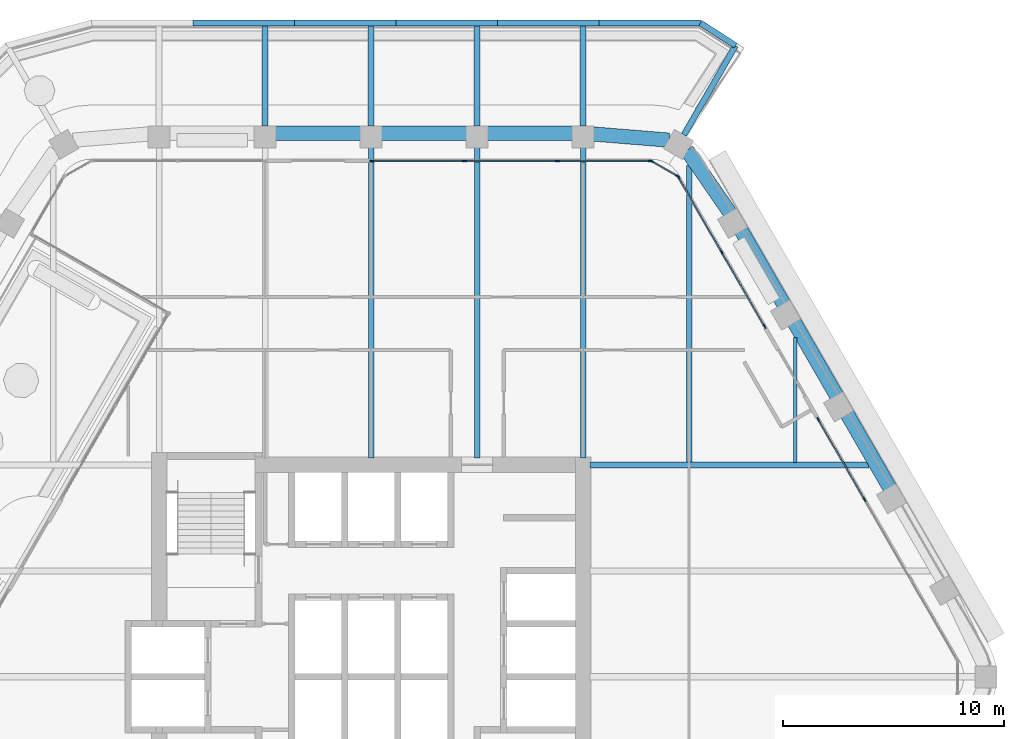
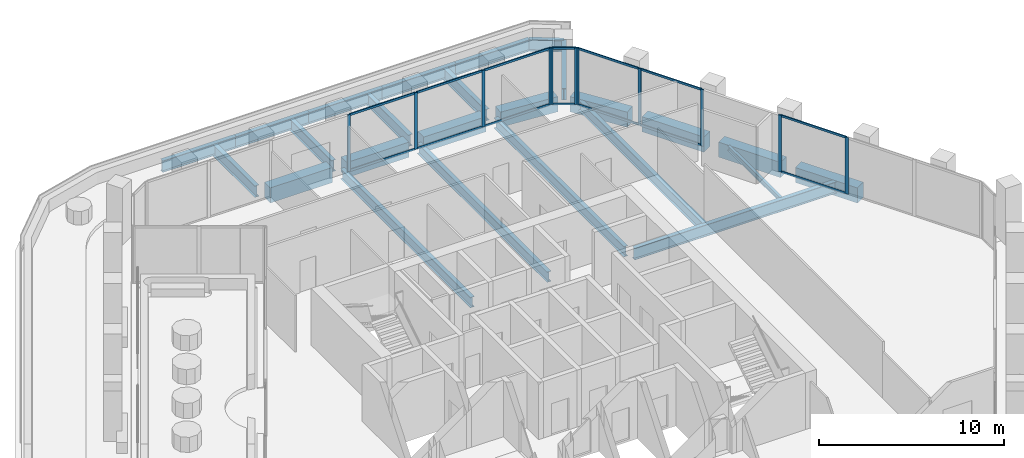
# One storey, part 7 of 18: 25 beams, 25 members, 4 elements without a shape of their own.
"""IFC4 building model written with IfcOpenShell, lengths in metres."""

from ifc_helpers import new_model, si_unit, direction, frame, origin, origin_2d, place, context, subcontext, project, spatial, rectangle, i_section, extrude, material, material_profile, profile_set, type_object, element, aggregate, save


model = new_model("IFC4")

# Units and contexts
model_context = context("Model", 3, precision=1e-05, world=origin(), true_north=direction((0.0, 1.0)))
body_context = subcontext(model_context, "Body", "Model", "MODEL_VIEW")
ifc_project = project(units=[si_unit("LENGTHUNIT", "METRE"), si_unit("AREAUNIT", "SQUARE_METRE"), si_unit("VOLUMEUNIT", "CUBIC_METRE"), si_unit("PLANEANGLEUNIT", "RADIAN"), si_unit("MASSUNIT", "GRAM", prefix="KILO")], contexts=[model_context])

# Site, building, storey
site_placement = place(None, origin())
site = spatial("IfcSite", under=ifc_project, at=site_placement, CompositionType="ELEMENT")
building_placement = place(site_placement, origin())
building = spatial("IfcBuilding", under=site, at=building_placement, Name="Kolab Exchange Tower", CompositionType="ELEMENT")
storey_placement = place(building_placement, frame((0.0, 0.0, 150.5)))
storey = spatial("IfcBuildingStorey", under=building, at=storey_placement, Name="L30", CompositionType="ELEMENT", Elevation=150.5)

# Beams
ifc_material_1 = material(Name="Steel S355", Category="steel")
ifc_material_profile_1 = material_profile(ifc_material_1, i_section(OverallWidth=0.1650390625, OverallDepth=0.31005859375, WebThickness=0.005859375, FlangeThickness=0.009765625, at=origin_2d()), Name="W310X39")
ifc_profile_set_1 = profile_set([ifc_material_profile_1], Name="Steel S355")
beam_type_1 = type_object("IfcBeamType", Name="FLOOR BEAM W310X39", PredefinedType="BEAM", material=ifc_profile_set_1)
beam_1_placement = place(storey_placement, frame((19.199951171875, 9.693603515625, -0.304931640625), z_axis=(0.0, 1.0, 0.0), x_axis=(-1.0, 0.0, 0.0)))
element("IfcBeam", 1, at=beam_1_placement, inside=storey, type_object=beam_type_1, Name="beam/L30/fr/028", PredefinedType="BEAM", context=body_context, shape_type="SweptSolid", body=[
    extrude(i_section(OverallWidth=0.1650390625, OverallDepth=0.31005859375, WebThickness=0.005859375, FlangeThickness=0.009765625, at=origin_2d()), origin(), (0.0, 0.0, 1.0), 5.674072265625),
])
ifc_material_profile_2 = material_profile(ifc_material_1, i_section(OverallWidth=0.25390625, OverallDepth=0.68408203125, WebThickness=0.012451171875, FlangeThickness=0.018798828125, at=origin_2d()), Name="W690X140")
ifc_profile_set_2 = profile_set([ifc_material_profile_2], Name="Steel S355")
beam_type_2 = type_object("IfcBeamType", Name="FLOOR BEAM W690X140", PredefinedType="BEAM", material=ifc_profile_set_2)
for number, where, z_axis, x_axis, name in (
    (2, (0.0, 9.909912109375, -0.491943359375), (0.0, 1.0, 0.0), (-1.0, 0.0, 0.0), "beam/L30/fr/017"),
    (3, (4.800048828125, 9.909912109375, -0.491943359375), (0.0, 1.0, 0.0), (-1.0, 0.0, 0.0), "beam/L30/fr/019"),
    (4, (9.60009765625, 9.909912109375, -0.491943359375), (0.0, 1.0, 0.0), (-1.0, 0.0, 0.0), "beam/L30/fr/021"),
):
    element("IfcBeam", number, at=place(storey_placement, frame(where, z_axis=z_axis, x_axis=x_axis)), inside=storey, type_object=beam_type_2, Name=name, PredefinedType="BEAM", context=body_context, shape_type="SweptSolid", body=[
        extrude(i_section(OverallWidth=0.25390625, OverallDepth=0.68408203125, WebThickness=0.012451171875, FlangeThickness=0.018798828125, at=origin_2d()), origin(), (0.0, 0.0, 1.0), 14.071533203125),
    ])
beam_2_placement = place(storey_placement, frame((14.39990234375, 9.693603515625, -0.491943359375), z_axis=(0.0, 1.0, 0.0), x_axis=(-1.0, 0.0, 0.0)))
element("IfcBeam", 5, at=beam_2_placement, inside=storey, type_object=beam_type_2, Name="beam/L30/fr/026", PredefinedType="BEAM", context=body_context, shape_type="SweptSolid", body=[
    extrude(i_section(OverallWidth=0.25390625, OverallDepth=0.68408203125, WebThickness=0.012451171875, FlangeThickness=0.018798828125, at=origin_2d()), origin(), (0.0, 0.0, 1.0), 13.462158203125),
])
ifc_material_profile_3 = material_profile(ifc_material_1, i_section(OverallWidth=0.26708984375, OverallDepth=0.761962890625, WebThickness=0.014404296875, FlangeThickness=0.021484375, at=origin_2d()), Name="W760X173")
ifc_profile_set_3 = profile_set([ifc_material_profile_3], Name="Steel S355")
beam_type_3 = type_object("IfcBeamType", Name="FLOOR GIRDER W760X173", PredefinedType="BEAM", material=ifc_profile_set_3)
beam_3_placement = place(storey_placement, frame((9.909912109375, 9.60009765625, -0.531005859375), z_axis=(1.0, 0.0, 0.0), x_axis=(0.0, 1.0, 0.0)))
element("IfcBeam", 6, at=beam_3_placement, inside=storey, type_object=beam_type_3, Name="beam/L30/gd/003", PredefinedType="BEAM", context=body_context, shape_type="SweptSolid", body=[
    extrude(i_section(OverallWidth=0.26708984375, OverallDepth=0.761962890625, WebThickness=0.014404296875, FlangeThickness=0.021484375, at=origin_2d()), origin(), (0.0, 0.0, 1.0), 12.636962890625),
])
for number, where, z_axis, x_axis, name in (
    (7, (-4.800048828125, 24.94140625, -0.591064453125), (0.0, 1.0, 0.0), (-1.0, 0.0, 0.0), "beam/L30/ledge/rib-08"),
    (8, (0.0, 24.94140625, -0.591064453125), (0.0, 1.0, 0.0), (-1.0, 0.0, 0.0), "beam/L30/ledge/rib-09"),
    (9, (4.800048828125, 24.94140625, -0.591064453125), (0.0, 1.0, 0.0), (-1.0, 0.0, 0.0), "beam/L30/ledge/rib-10"),
    (10, (9.60009765625, 24.94140625, -0.591064453125), (0.0, 1.0, 0.0), (-1.0, 0.0, 0.0), "beam/L30/ledge/rib-11"),
):
    element("IfcBeam", number, at=place(storey_placement, frame(where, z_axis=z_axis, x_axis=x_axis)), inside=storey, type_object=beam_type_3, Name=name, PredefinedType="BEAM", context=body_context, shape_type="SweptSolid", body=[
        extrude(i_section(OverallWidth=0.26708984375, OverallDepth=0.761962890625, WebThickness=0.014404296875, FlangeThickness=0.021484375, at=origin_2d()), origin(), (0.0, 0.0, 1.0), 4.533203125),
    ])
beam_4_placement = place(storey_placement, frame((14.16796875, 24.53955078125, -0.591064453125), z_axis=(0.500004747635, 0.866022662719, 0.0), x_axis=(-0.866022662719, 0.500004747635, 0.0)))
element("IfcBeam", 11, at=beam_4_placement, inside=storey, type_object=beam_type_3, Name="beam/L30/ledge/rib-12", PredefinedType="BEAM", context=body_context, shape_type="SweptSolid", body=[
    extrude(i_section(OverallWidth=0.26708984375, OverallDepth=0.761962890625, WebThickness=0.014404296875, FlangeThickness=0.021484375, at=origin_2d()), origin(), (0.0, 0.0, 1.0), 4.66650390625),
])
beam_5_placement = place(storey_placement, frame((-8.056640625, 29.60791015625, -0.591064453125), z_axis=(1.0, 0.0, 0.0), x_axis=(0.0, 1.0, 0.0)))
element("IfcBeam", 12, at=beam_5_placement, inside=storey, type_object=beam_type_3, Name="beam/L30/ledge/edge-10", PredefinedType="BEAM", context=body_context, shape_type="SweptSolid", body=[
    extrude(i_section(OverallWidth=0.26708984375, OverallDepth=0.761962890625, WebThickness=0.014404296875, FlangeThickness=0.021484375, at=origin_2d()), origin(), (0.0, 0.0, 1.0), 4.59375),
])
beam_6_placement = place(storey_placement, frame((-3.462890625, 29.60791015625, -0.591064453125), z_axis=(1.0, 0.0, 0.0), x_axis=(0.0, 1.0, 0.0)))
element("IfcBeam", 13, at=beam_6_placement, inside=storey, type_object=beam_type_3, Name="beam/L30/ledge/edge-11", PredefinedType="BEAM", context=body_context, shape_type="SweptSolid", body=[
    extrude(i_section(OverallWidth=0.26708984375, OverallDepth=0.761962890625, WebThickness=0.014404296875, FlangeThickness=0.021484375, at=origin_2d()), origin(), (0.0, 0.0, 1.0), 4.593505859375),
])
for number, where, z_axis, x_axis, name in (
    (14, (1.130615234375, 29.60791015625, -0.591064453125), (1.0, 0.0, 0.0), (0.0, 1.0, 0.0), "beam/L30/ledge/edge-12"),
    (15, (5.724365234375, 29.60791015625, -0.591064453125), (1.0, 0.0, 0.0), (0.0, 1.0, 0.0), "beam/L30/ledge/edge-13"),
):
    element("IfcBeam", number, at=place(storey_placement, frame(where, z_axis=z_axis, x_axis=x_axis)), inside=storey, type_object=beam_type_3, Name=name, PredefinedType="BEAM", context=body_context, shape_type="SweptSolid", body=[
        extrude(i_section(OverallWidth=0.26708984375, OverallDepth=0.761962890625, WebThickness=0.014404296875, FlangeThickness=0.021484375, at=origin_2d()), origin(), (0.0, 0.0, 1.0), 4.59375),
    ])
beam_7_placement = place(storey_placement, frame((10.318115234375, 29.60791015625, -0.591064453125), z_axis=(1.0, 0.0, 0.0), x_axis=(0.0, 1.0, 0.0)))
element("IfcBeam", 16, at=beam_7_placement, inside=storey, type_object=beam_type_3, Name="beam/L30/ledge/edge-14", PredefinedType="BEAM", context=body_context, shape_type="SweptSolid", body=[
    extrude(i_section(OverallWidth=0.26708984375, OverallDepth=0.761962890625, WebThickness=0.014404296875, FlangeThickness=0.021484375, at=origin_2d()), origin(), (0.0, 0.0, 1.0), 4.593505859375),
])
beam_8_placement = place(storey_placement, frame((14.91162109375, 29.60791015625, -0.591064453125), z_axis=(0.839981802732, -0.542614569542, 0.0), x_axis=(0.542614569542, 0.839981802732, 0.0)))
element("IfcBeam", 17, at=beam_8_placement, inside=storey, type_object=beam_type_3, Name="beam/L30/ledge/edge-15", PredefinedType="BEAM", context=body_context, shape_type="SweptSolid", body=[
    extrude(i_section(OverallWidth=0.26708984375, OverallDepth=0.761962890625, WebThickness=0.014404296875, FlangeThickness=0.021484375, at=origin_2d()), origin(), (0.0, 0.0, 1.0), 1.892333984375),
])
ifc_material_2 = material(Name="Concrete C60/75", Category="concrete")
ifc_material_profile_4 = material_profile(ifc_material_2, rectangle(XDim=0.64990234375, YDim=1.0, at=origin_2d()), Name="RC650X1000")
ifc_profile_set_4 = profile_set([ifc_material_profile_4], Name="Concrete C60/75")
beam_type_4 = type_object("IfcBeamType", Name="SPANDREL BEAM 650X1000 C60/75", PredefinedType="BEAM", material=ifc_profile_set_4)
for number, where, z_axis, x_axis, name in (
    (18, (-4.340087890625, 24.616455078125, -0.64990234375), (1.0, 0.0, 0.0), (0.0, 1.0, 0.0), "beam/L30/sp/F1-03"),
    (19, (0.4599609375, 24.616455078125, -0.64990234375), (1.0, 0.0, 0.0), (0.0, 1.0, 0.0), "beam/L30/sp/F1-04"),
):
    element("IfcBeam", number, at=place(storey_placement, frame(where, z_axis=z_axis, x_axis=x_axis)), inside=storey, type_object=beam_type_4, Name=name, PredefinedType="BEAM", context=body_context, shape_type="SweptSolid", body=[
        extrude(rectangle(XDim=0.64990234375, YDim=1.0, at=origin_2d()), origin(), (0.0, 0.0, 1.0), 3.880126953125),
    ])
beam_9_placement = place(storey_placement, frame((5.260009765625, 24.616455078125, -0.64990234375), z_axis=(1.0, 0.0, 0.0), x_axis=(0.0, 1.0, 0.0)))
element("IfcBeam", 20, at=beam_9_placement, inside=storey, type_object=beam_type_4, Name="beam/L30/sp/F1-05", PredefinedType="BEAM", context=body_context, shape_type="SweptSolid", body=[
    extrude(rectangle(XDim=0.64990234375, YDim=1.0, at=origin_2d()), origin(), (0.0, 0.0, 1.0), 3.8798828125),
])
for number, where, z_axis, x_axis, name in (
    (21, (10.06005859375, 24.5791015625, -0.64990234375), (0.996708497182, -0.081068931445, 0.0), (0.081068931445, 0.996708497182, 0.0), "beam/L30/sp/F1-06"),
    (22, (14.29736328125, 23.8359375, -0.64990234375), (0.568572281073, -0.822633309073, 0.0), (0.822633309073, 0.568572281073, 0.0), "beam/L30/sp/F2-01"),
):
    element("IfcBeam", number, at=place(storey_placement, frame(where, z_axis=z_axis, x_axis=x_axis)), inside=storey, type_object=beam_type_4, Name=name, PredefinedType="BEAM", context=body_context, shape_type="SweptSolid", body=[
        extrude(rectangle(XDim=0.64990234375, YDim=1.0, at=origin_2d()), origin(), (0.0, 0.0, 1.0), 3.445068359375),
    ])
beam_10_placement = place(storey_placement, frame((16.74853515625, 20.2236328125, -0.64990234375), z_axis=(0.499996613652, -0.866027358884, 0.0), x_axis=(0.866027358884, 0.499996613652, 0.0)))
element("IfcBeam", 23, at=beam_10_placement, inside=storey, type_object=beam_type_4, Name="beam/L30/sp/F2-02", PredefinedType="BEAM", context=body_context, shape_type="SweptSolid", body=[
    extrude(rectangle(XDim=0.64990234375, YDim=1.0, at=origin_2d()), origin(), (0.0, 0.0, 1.0), 3.8798828125),
])
beam_11_placement = place(storey_placement, frame((19.1484375, 16.06689453125, -0.64990234375), z_axis=(0.50001655835, -0.866015843605, 0.0), x_axis=(0.866015843605, 0.50001655835, 0.0)))
element("IfcBeam", 24, at=beam_11_placement, inside=storey, type_object=beam_type_4, Name="beam/L30/sp/F2-03", PredefinedType="BEAM", context=body_context, shape_type="SweptSolid", body=[
    extrude(rectangle(XDim=0.64990234375, YDim=1.0, at=origin_2d()), origin(), (0.0, 0.0, 1.0), 3.880126953125),
])
beam_12_placement = place(storey_placement, frame((21.548583984375, 11.909912109375, -0.64990234375), z_axis=(0.499996613652, -0.866027358884, 0.0), x_axis=(0.866027358884, 0.499996613652, 0.0)))
element("IfcBeam", 25, at=beam_12_placement, inside=storey, type_object=beam_type_4, Name="beam/L30/sp/F2-04", PredefinedType="BEAM", context=body_context, shape_type="SweptSolid", body=[
    extrude(rectangle(XDim=0.64990234375, YDim=1.0, at=origin_2d()), origin(), (0.0, 0.0, 1.0), 3.8798828125),
])

# Curtain wall, members
ifc_material_3 = material(Name="Aluminium EN AW-6063 T6", Category="aluminium")
curtain_wall_type = type_object("IfcCurtainWallType", Name="UNITISED UPPER MID ZONE CURTAIN WALL", PredefinedType="NOTDEFINED", material=ifc_material_3)
curtain_wall_1_placement = place(storey_placement, origin())
curtain_wall_1 = element("IfcCurtainWall", 26, at=curtain_wall_1_placement, inside=storey, type_object=curtain_wall_type, Name="cw/L30/F1-2", PredefinedType="NOTDEFINED")
ifc_material_profile_5 = material_profile(ifc_material_3, rectangle(XDim=0.06005859375, YDim=0.199951171875, at=origin_2d()), Name="RECT 60X200")
ifc_profile_set_5 = profile_set([ifc_material_profile_5], Name="Aluminium EN AW-6063 T6")
member_type_1 = type_object("IfcMemberType", Name="UNITISED UPPER MID ZONE MULLION 60 X 200", PredefinedType="MULLION", material=ifc_profile_set_5)
member_1_placement = place(storey_placement, frame((0.030029296875, 23.361572265625, 0.0), z_axis=(0.0, 0.0, 1.0), x_axis=(0.0, 1.0, 0.0)))
member_1 = element("IfcMember", 27, at=member_1_placement, type_object=member_type_1, Name="CW3 mullion 1", PredefinedType="MULLION", context=body_context, shape_type="SweptSolid", body=[
    extrude(rectangle(XDim=0.06005859375, YDim=0.199951171875, at=origin_2d()), origin(), (0.0, 0.0, 1.0), 3.75),
])
member_2_placement = place(storey_placement, frame((4.22265625, 23.361572265625, 0.0), z_axis=(0.0, 0.0, 1.0), x_axis=(0.0, 1.0, 0.0)))
member_2 = element("IfcMember", 28, at=member_2_placement, type_object=member_type_1, Name="CW3 mullion 2", PredefinedType="MULLION", context=body_context, shape_type="SweptSolid", body=[
    extrude(rectangle(XDim=0.06005859375, YDim=0.199951171875, at=origin_2d()), origin(), (0.0, 0.0, 1.0), 3.75),
])
member_3_placement = place(storey_placement, frame((8.4453125, 23.361572265625, 0.0), z_axis=(0.0, 0.0, 1.0), x_axis=(0.0, 1.0, 0.0)))
member_3 = element("IfcMember", 29, at=member_3_placement, type_object=member_type_1, Name="CW3 mullion 3", PredefinedType="MULLION", context=body_context, shape_type="SweptSolid", body=[
    extrude(rectangle(XDim=0.06005859375, YDim=0.199951171875, at=origin_2d()), origin(), (0.0, 0.0, 1.0), 3.75),
])
member_4_placement = place(storey_placement, frame((12.637939453125, 23.361572265625, 0.0), z_axis=(0.0, 0.0, 1.0), x_axis=(0.0, 1.0, 0.0)))
member_4 = element("IfcMember", 30, at=member_4_placement, type_object=member_type_1, Name="CW3 mullion 4", PredefinedType="MULLION", context=body_context, shape_type="SweptSolid", body=[
    extrude(rectangle(XDim=0.06005859375, YDim=0.199951171875, at=origin_2d()), origin(), (0.0, 0.0, 1.0), 3.75),
])

curtain_wall_2_placement = place(storey_placement, origin())
curtain_wall_2 = element("IfcCurtainWall", 31, at=curtain_wall_2_placement, inside=storey, type_object=curtain_wall_type, Name="cw/L30/F2-1", PredefinedType="NOTDEFINED")
member_5_placement = place(storey_placement, frame((13.91259765625, 22.62548828125, 0.0), z_axis=(0.0, 0.0, 1.0), x_axis=(0.866025385493, 0.500000031681, 0.0)))
member_5 = element("IfcMember", 32, at=member_5_placement, type_object=member_type_1, Name="CW3 mullion 1", PredefinedType="MULLION", context=body_context, shape_type="SweptSolid", body=[
    extrude(rectangle(XDim=0.06005859375, YDim=0.199951171875, at=origin_2d()), origin(), (0.0, 0.0, 1.0), 3.75),
])
member_6_placement = place(storey_placement, frame((15.86474609375, 19.24462890625, 0.0), z_axis=(0.0, 0.0, 1.0), x_axis=(0.866025385493, 0.500000031681, 0.0)))
member_6 = element("IfcMember", 33, at=member_6_placement, type_object=member_type_1, Name="CW3 mullion 2", PredefinedType="MULLION", context=body_context, shape_type="SweptSolid", body=[
    extrude(rectangle(XDim=0.06005859375, YDim=0.199951171875, at=origin_2d()), origin(), (0.0, 0.0, 1.0), 3.75),
])
member_7_placement = place(storey_placement, frame((17.816650390625, 15.86376953125, 0.0), z_axis=(0.0, 0.0, 1.0), x_axis=(0.866025385493, 0.500000031681, 0.0)))
member_7 = element("IfcMember", 34, at=member_7_placement, type_object=member_type_1, Name="CW3 mullion 3", PredefinedType="MULLION", context=body_context, shape_type="SweptSolid", body=[
    extrude(rectangle(XDim=0.06005859375, YDim=0.199951171875, at=origin_2d()), origin(), (0.0, 0.0, 1.0), 3.75),
])

curtain_wall_3_placement = place(storey_placement, origin())
curtain_wall_3 = element("IfcCurtainWall", 35, at=curtain_wall_3_placement, inside=storey, type_object=curtain_wall_type, Name="cw/L30/F2-2", PredefinedType="NOTDEFINED")
member_8_placement = place(storey_placement, frame((20.24658203125, 11.65478515625, 0.0), z_axis=(0.0, 0.0, 1.0), x_axis=(0.866025427826, 0.499999958358, 0.0)))
member_8 = element("IfcMember", 36, at=member_8_placement, type_object=member_type_1, Name="CW3 mullion 1", PredefinedType="MULLION", context=body_context, shape_type="SweptSolid", body=[
    extrude(rectangle(XDim=0.06005859375, YDim=0.199951171875, at=origin_2d()), origin(), (0.0, 0.0, 1.0), 3.75),
])
member_9_placement = place(storey_placement, frame((22.343017578125, 8.02392578125, 0.0), z_axis=(0.0, 0.0, 1.0), x_axis=(0.866025427826, 0.499999958358, 0.0)))
member_9 = element("IfcMember", 37, at=member_9_placement, type_object=member_type_1, Name="CW3 mullion 2", PredefinedType="MULLION", context=body_context, shape_type="SweptSolid", body=[
    extrude(rectangle(XDim=0.06005859375, YDim=0.199951171875, at=origin_2d()), origin(), (0.0, 0.0, 1.0), 3.75),
])

curtain_wall_4_placement = place(storey_placement, origin())
curtain_wall_4 = element("IfcCurtainWall", 38, at=curtain_wall_4_placement, inside=storey, type_object=curtain_wall_type, Name="cw/L30/F1F2-corner", PredefinedType="NOTDEFINED")
member_10_placement = place(storey_placement, frame((12.69384765625, 23.346435546875, 0.0), z_axis=(0.0, 0.0, 1.0), x_axis=(0.50000002237, 0.866025390869, 0.0)))
member_10 = element("IfcMember", 39, at=member_10_placement, type_object=member_type_1, Name="CW3 mullion 1", PredefinedType="MULLION", context=body_context, shape_type="SweptSolid", body=[
    extrude(rectangle(XDim=0.06005859375, YDim=0.199951171875, at=origin_2d()), origin(), (0.0, 0.0, 1.0), 3.75),
])
member_11_placement = place(storey_placement, frame((13.871826171875, 22.66650390625, 0.0), z_axis=(0.0, 0.0, 1.0), x_axis=(0.50000002237, 0.866025390869, 0.0)))
member_11 = element("IfcMember", 40, at=member_11_placement, type_object=member_type_1, Name="CW3 mullion 2", PredefinedType="MULLION", context=body_context, shape_type="SweptSolid", body=[
    extrude(rectangle(XDim=0.06005859375, YDim=0.199951171875, at=origin_2d()), origin(), (0.0, 0.0, 1.0), 3.75),
])

# Member
ifc_material_profile_6 = material_profile(ifc_material_3, rectangle(XDim=0.06005859375, YDim=0.139892578125, at=origin_2d()), Name="RECT 60X140")
ifc_profile_set_6 = profile_set([ifc_material_profile_6], Name="Aluminium EN AW-6063 T6")
member_type_2 = type_object("IfcMemberType", Name="UNITISED UPPER MID ZONE TRANSOM 60 X 140", PredefinedType="USERDEFINED", material=ifc_profile_set_6)
member_12_placement = place(storey_placement, frame((0.06005859375, 23.361572265625, 0.030029296875), z_axis=(1.0, 0.0, 0.0), x_axis=(0.0, 1.0, 0.0)))
member_12 = element("IfcMember", 41, at=member_12_placement, type_object=member_type_2, Name="CW3 transom 1.1", ObjectType="TRANSOM", PredefinedType="USERDEFINED", context=body_context, shape_type="SweptSolid", body=[
    extrude(rectangle(XDim=0.06005859375, YDim=0.139892578125, at=origin_2d()), origin(), (0.0, 0.0, 1.0), 4.132568359375),
])

member_13_placement = place(storey_placement, frame((0.06005859375, 23.361572265625, 3.719970703125), z_axis=(1.0, 0.0, 0.0), x_axis=(0.0, 1.0, 0.0)))
member_13 = element("IfcMember", 42, at=member_13_placement, type_object=member_type_2, Name="CW3 transom 1.2", ObjectType="TRANSOM", PredefinedType="USERDEFINED", context=body_context, shape_type="SweptSolid", body=[
    extrude(rectangle(XDim=0.06005859375, YDim=0.139892578125, at=origin_2d()), origin(), (0.0, 0.0, 1.0), 4.132568359375),
])

member_14_placement = place(storey_placement, frame((4.252685546875, 23.361572265625, 0.030029296875), z_axis=(1.0, 0.0, 0.0), x_axis=(0.0, 1.0, 0.0)))
member_14 = element("IfcMember", 43, at=member_14_placement, type_object=member_type_2, Name="CW3 transom 2.1", ObjectType="TRANSOM", PredefinedType="USERDEFINED", context=body_context, shape_type="SweptSolid", body=[
    extrude(rectangle(XDim=0.06005859375, YDim=0.139892578125, at=origin_2d()), origin(), (0.0, 0.0, 1.0), 4.16259765625),
])

member_15_placement = place(storey_placement, frame((4.252685546875, 23.361572265625, 3.719970703125), z_axis=(1.0, 0.0, 0.0), x_axis=(0.0, 1.0, 0.0)))
member_15 = element("IfcMember", 44, at=member_15_placement, type_object=member_type_2, Name="CW3 transom 2.2", ObjectType="TRANSOM", PredefinedType="USERDEFINED", context=body_context, shape_type="SweptSolid", body=[
    extrude(rectangle(XDim=0.06005859375, YDim=0.139892578125, at=origin_2d()), origin(), (0.0, 0.0, 1.0), 4.16259765625),
])

member_16_placement = place(storey_placement, frame((8.475341796875, 23.361572265625, 0.030029296875), z_axis=(1.0, 0.0, 0.0), x_axis=(0.0, 1.0, 0.0)))
member_16 = element("IfcMember", 45, at=member_16_placement, type_object=member_type_2, Name="CW3 transom 3.1", ObjectType="TRANSOM", PredefinedType="USERDEFINED", context=body_context, shape_type="SweptSolid", body=[
    extrude(rectangle(XDim=0.06005859375, YDim=0.139892578125, at=origin_2d()), origin(), (0.0, 0.0, 1.0), 4.132568359375),
])

member_17_placement = place(storey_placement, frame((8.475341796875, 23.361572265625, 3.719970703125), z_axis=(1.0, 0.0, 0.0), x_axis=(0.0, 1.0, 0.0)))
member_17 = element("IfcMember", 46, at=member_17_placement, type_object=member_type_2, Name="CW3 transom 3.2", ObjectType="TRANSOM", PredefinedType="USERDEFINED", context=body_context, shape_type="SweptSolid", body=[
    extrude(rectangle(XDim=0.06005859375, YDim=0.139892578125, at=origin_2d()), origin(), (0.0, 0.0, 1.0), 4.132568359375),
])

aggregate(curtain_wall_1, [member_1, member_2, member_3, member_4, member_12, member_13, member_14, member_15, member_16, member_17])

member_18_placement = place(storey_placement, frame((13.927734375, 22.599609375, 0.030029296875), z_axis=(0.499964356602, -0.866045981532, 0.0), x_axis=(0.866045981532, 0.499964356602, 0.0)))
member_18 = element("IfcMember", 47, at=member_18_placement, type_object=member_type_2, Name="CW3 transom 1.1", ObjectType="TRANSOM", PredefinedType="USERDEFINED", context=body_context, shape_type="SweptSolid", body=[
    extrude(rectangle(XDim=0.06005859375, YDim=0.139892578125, at=origin_2d()), origin(), (0.0, 0.0, 1.0), 3.843994140625),
])

member_19_placement = place(storey_placement, frame((13.927734375, 22.599609375, 3.719970703125), z_axis=(0.499964356602, -0.866045981532, 0.0), x_axis=(0.866045981532, 0.499964356602, 0.0)))
member_19 = element("IfcMember", 48, at=member_19_placement, type_object=member_type_2, Name="CW3 transom 1.2", ObjectType="TRANSOM", PredefinedType="USERDEFINED", context=body_context, shape_type="SweptSolid", body=[
    extrude(rectangle(XDim=0.06005859375, YDim=0.139892578125, at=origin_2d()), origin(), (0.0, 0.0, 1.0), 3.843994140625),
])

member_20_placement = place(storey_placement, frame((15.879638671875, 19.21875, 0.030029296875), z_axis=(0.500011990396, -0.866018481016, 0.0), x_axis=(0.866018481016, 0.500011990396, 0.0)))
member_20 = element("IfcMember", 49, at=member_20_placement, type_object=member_type_2, Name="CW3 transom 2.1", ObjectType="TRANSOM", PredefinedType="USERDEFINED", context=body_context, shape_type="SweptSolid", body=[
    extrude(rectangle(XDim=0.06005859375, YDim=0.139892578125, at=origin_2d()), origin(), (0.0, 0.0, 1.0), 3.84423828125),
])

member_21_placement = place(storey_placement, frame((15.879638671875, 19.21875, 3.719970703125), z_axis=(0.500011990396, -0.866018481016, 0.0), x_axis=(0.866018481016, 0.500011990396, 0.0)))
member_21 = element("IfcMember", 50, at=member_21_placement, type_object=member_type_2, Name="CW3 transom 2.2", ObjectType="TRANSOM", PredefinedType="USERDEFINED", context=body_context, shape_type="SweptSolid", body=[
    extrude(rectangle(XDim=0.06005859375, YDim=0.139892578125, at=origin_2d()), origin(), (0.0, 0.0, 1.0), 3.84423828125),
])

aggregate(curtain_wall_2, [member_5, member_6, member_7, member_18, member_19, member_20, member_21])

member_22_placement = place(storey_placement, frame((20.26171875, 11.62890625, 0.030029296875), z_axis=(0.500001996123, -0.866024251319, 0.0), x_axis=(0.866024251319, 0.500001996123, 0.0)))
member_22 = element("IfcMember", 51, at=member_22_placement, type_object=member_type_2, Name="CW3 transom 1.1", ObjectType="TRANSOM", PredefinedType="USERDEFINED", context=body_context, shape_type="SweptSolid", body=[
    extrude(rectangle(XDim=0.06005859375, YDim=0.139892578125, at=origin_2d()), origin(), (0.0, 0.0, 1.0), 4.1328125),
])

member_23_placement = place(storey_placement, frame((20.26171875, 11.62890625, 3.719970703125), z_axis=(0.500001996123, -0.866024251319, 0.0), x_axis=(0.866024251319, 0.500001996123, 0.0)))
member_23 = element("IfcMember", 52, at=member_23_placement, type_object=member_type_2, Name="CW3 transom 1.2", ObjectType="TRANSOM", PredefinedType="USERDEFINED", context=body_context, shape_type="SweptSolid", body=[
    extrude(rectangle(XDim=0.06005859375, YDim=0.139892578125, at=origin_2d()), origin(), (0.0, 0.0, 1.0), 4.1328125),
])

aggregate(curtain_wall_3, [member_8, member_9, member_22, member_23])

member_24_placement = place(storey_placement, frame((12.719970703125, 23.33154296875, 0.030029296875), z_axis=(0.86603858612, -0.49997716683, 0.0), x_axis=(0.49997716683, 0.86603858612, 0.0)))
member_24 = element("IfcMember", 53, at=member_24_placement, type_object=member_type_2, Name="CW3 transom 1.1", ObjectType="TRANSOM", PredefinedType="USERDEFINED", context=body_context, shape_type="SweptSolid", body=[
    extrude(rectangle(XDim=0.06005859375, YDim=0.139892578125, at=origin_2d()), origin(), (0.0, 0.0, 1.0), 1.2998046875),
])

member_25_placement = place(storey_placement, frame((12.719970703125, 23.33154296875, 3.719970703125), z_axis=(0.86603858612, -0.49997716683, 0.0), x_axis=(0.49997716683, 0.86603858612, 0.0)))
member_25 = element("IfcMember", 54, at=member_25_placement, type_object=member_type_2, Name="CW3 transom 1.2", ObjectType="TRANSOM", PredefinedType="USERDEFINED", context=body_context, shape_type="SweptSolid", body=[
    extrude(rectangle(XDim=0.06005859375, YDim=0.139892578125, at=origin_2d()), origin(), (0.0, 0.0, 1.0), 1.2998046875),
])

aggregate(curtain_wall_4, [member_10, member_11, member_24, member_25])

save(model, "model.ifc")
